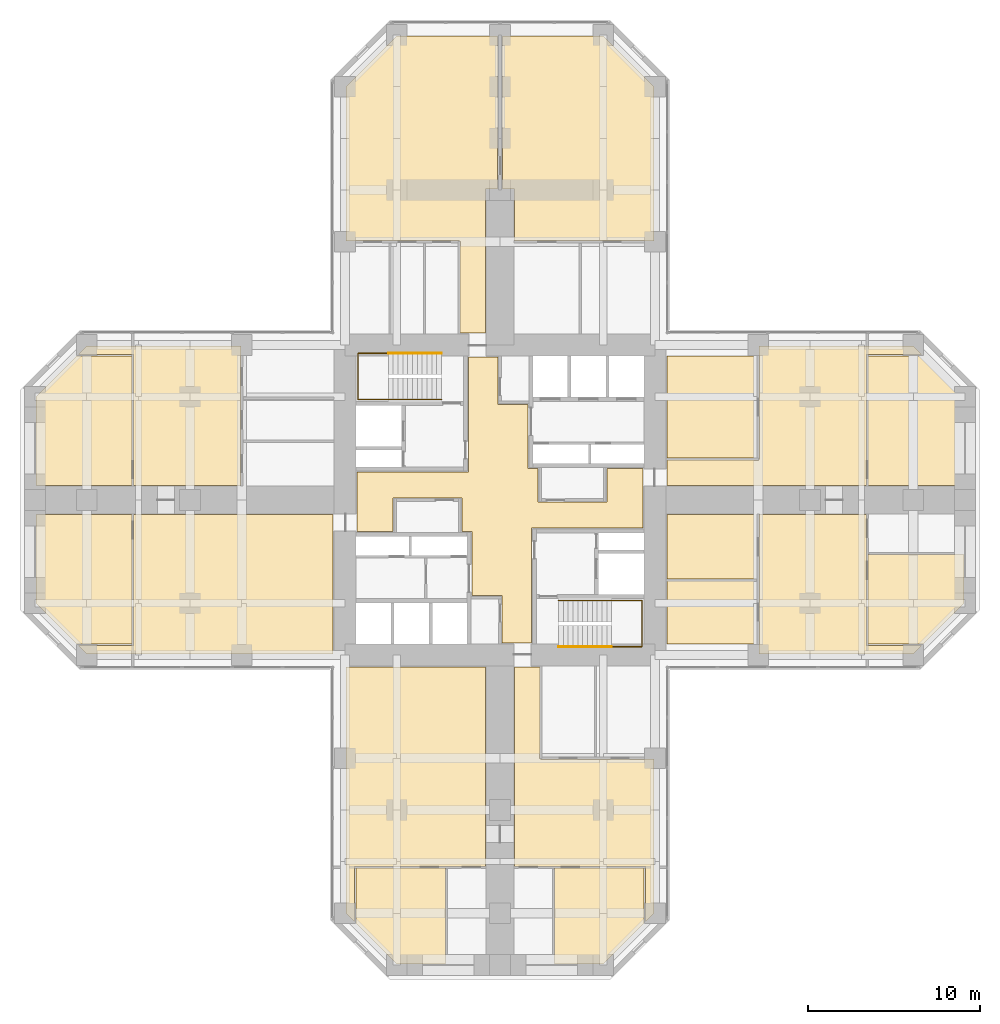
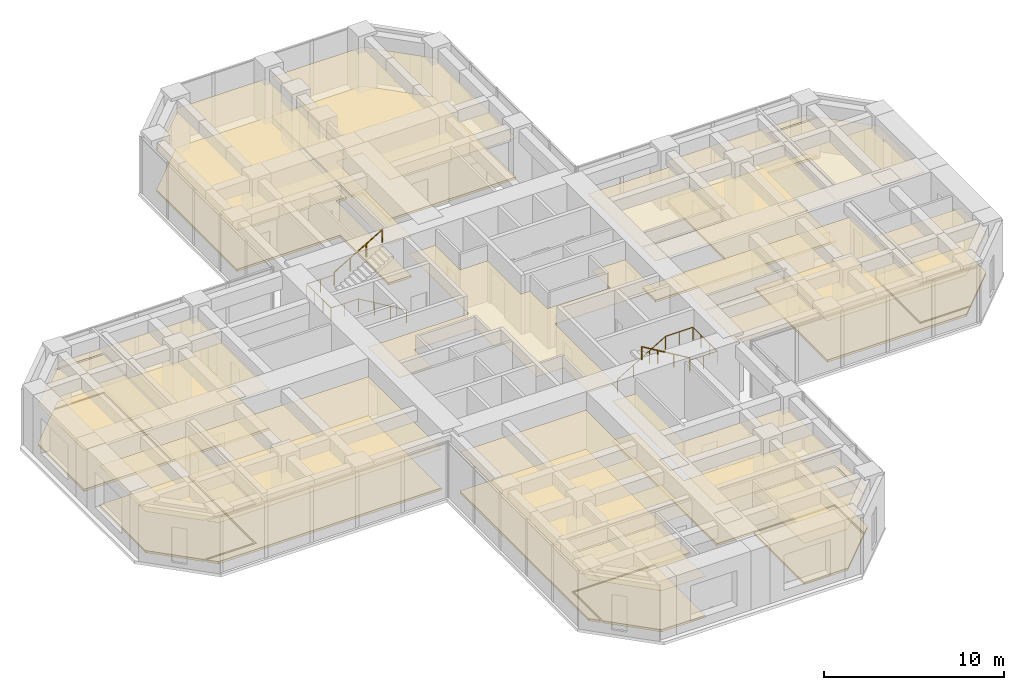
# One storey, part 13 of 13: 31 coverings, 4 railings.
"""IFC4 building model written with IfcOpenShell, lengths in metres."""

import ifcopenshell
import ifcopenshell.guid

model = None  # the IFC model being written
_history = None  # IfcOwnerHistory: only IFC2X3 demands one
_inside = {}  # id of a spatial element -> (the spatial element, [elements in it])
_under = {}  # id of a project, library or spatial element -> (it, [spatial elements below it])
_declared = {}  # id of a project -> (the project, [libraries it declares])
_typed = {}  # id of a type object -> (the type object, [elements of that type])
_made_of = {}  # id of a material, layer set ... -> (it, [elements and type objects made of it])


def new_model(schema):
    """Start an empty IFC model of exactly this schema.

    Asked for "IFC4X3", IfcOpenShell would pick the latest addendum, in which some entities
    have other attributes; the version numbers below select the first issue.
    IFC2X3 requires an IfcOwnerHistory on every rooted entity: one is made here for all.
    """
    global model, _history
    if schema == "IFC4X3":
        model = ifcopenshell.file(schema_version=(4, 3, 0, 0))
    else:
        model = ifcopenshell.file(schema=schema)
    _inside.clear()
    _under.clear()
    _declared.clear()
    _typed.clear()
    _made_of.clear()
    _history = None
    if model.schema == "IFC2X3":
        org = make("IfcOrganization", Name="unknown")
        user = make(
            "IfcPersonAndOrganization",
            ThePerson=make("IfcPerson", FamilyName="unknown"),
            TheOrganization=org,
        )
        app = make(
            "IfcApplication",
            ApplicationDeveloper=org,
            Version="unknown",
            ApplicationFullName="unknown",
            ApplicationIdentifier="unknown",
        )
        _history = make(
            "IfcOwnerHistory",
            OwningUser=user,
            OwningApplication=app,
            ChangeAction="ADDED",
            CreationDate=0,
        )
    return model


def make(cls, **values):
    """One entity of the class cls with the attributes given. An attribute that is None is left unset."""
    return model.create_entity(
        cls, **{name: value for name, value in values.items() if value is not None}
    )


def rooted(cls, **values):
    """An entity with a GlobalId (a new one), such as an element, a storey or a relation."""
    return make(cls, GlobalId=ifcopenshell.guid.new(), OwnerHistory=_history, **values)


def si_unit(unit_type, name, prefix=None):
    """IfcSIUnit, for example si_unit("LENGTHUNIT", "METRE", prefix="MILLI")."""
    return make("IfcSIUnit", UnitType=unit_type, Prefix=prefix, Name=name)


def assignment(units):
    """IfcUnitAssignment: the units of a project."""
    return None if units is None else make("IfcUnitAssignment", Units=units)


def point(xyz):
    """IfcCartesianPoint."""
    return None if xyz is None else make("IfcCartesianPoint", Coordinates=xyz)


def direction(xyz):
    """IfcDirection."""
    return None if xyz is None else make("IfcDirection", DirectionRatios=xyz)


def frame(location, z_axis=None, x_axis=None):
    """IfcAxis2Placement3D, a coordinate frame: its origin and axes. An axis left out is left unset."""
    return make(
        "IfcAxis2Placement3D",
        Location=point(location),
        Axis=direction(z_axis),
        RefDirection=direction(x_axis),
    )


def frame_2d(location, x_axis=None):
    """IfcAxis2Placement2D, a coordinate frame in the plane: its origin and x axis."""
    return make(
        "IfcAxis2Placement2D", Location=point(location), RefDirection=direction(x_axis)
    )


def origin():
    """The frame at (0, 0, 0) with its axes left unset."""
    return frame((0.0, 0.0, 0.0))


def origin_2d():
    """The frame at (0, 0) in the plane with its x axis left unset."""
    return frame_2d((0.0, 0.0))


def place(relative_to, where):
    """IfcLocalPlacement: puts the frame where relative to a parent placement (None: the world)."""
    return make(
        "IfcLocalPlacement", PlacementRelTo=relative_to, RelativePlacement=where
    )


def context(
    kind, dimensions, precision=None, world=None, true_north=None, identifier=None
):
    """IfcGeometricRepresentationContext, for example the 3D "Model" context."""
    return make(
        "IfcGeometricRepresentationContext",
        ContextIdentifier=identifier,
        ContextType=kind,
        CoordinateSpaceDimension=dimensions,
        Precision=precision,
        WorldCoordinateSystem=world,
        TrueNorth=true_north,
    )


def subcontext(parent, identifier, kind, view, scale=None):
    """IfcGeometricRepresentationSubContext, for example "Body" below "Model"."""
    return make(
        "IfcGeometricRepresentationSubContext",
        ContextIdentifier=identifier,
        ContextType=kind,
        ParentContext=parent,
        TargetScale=scale,
        TargetView=view,
    )


def project(units=None, contexts=None):
    """IfcProject with its units and contexts."""
    return rooted(
        "IfcProject",
        Name="project",
        RepresentationContexts=contexts,
        UnitsInContext=assignment(units),
    )


def spatial(cls, under=None, at=None, **own):
    """A site, building, storey or space (cls), placed at a placement, below another one or the project."""
    s = rooted(cls, ObjectPlacement=at, **own)
    if under is not None:
        _under.setdefault(under.id(), (under, []))[1].append(s)
    return s


def polyline(points):
    """IfcPolyline through the points."""
    return make("IfcPolyline", Points=[point(p) for p in points])


def profile(cls, at=None, kind="AREA", **sizes):
    """A parametric profile (cls). Its sizes go by their IFC names, for example OverallWidth=200.0."""
    return make(cls, ProfileType=kind, Position=at, **sizes)


def circle(**sizes):
    """IfcCircleProfileDef."""
    return profile("IfcCircleProfileDef", **sizes)


def outline(outer, holes=None, kind="AREA"):
    """IfcArbitraryClosedProfileDef: a profile drawn as a closed curve; with holes, ...WithVoids."""
    if holes is None:
        return make("IfcArbitraryClosedProfileDef", ProfileType=kind, OuterCurve=outer)
    return make(
        "IfcArbitraryProfileDefWithVoids",
        ProfileType=kind,
        OuterCurve=outer,
        InnerCurves=holes,
    )


def extrude(swept, where, along, depth):
    """IfcExtrudedAreaSolid: the profile swept, set in the frame where, extruded along a direction by depth."""
    return make(
        "IfcExtrudedAreaSolid",
        SweptArea=swept,
        Position=where,
        ExtrudedDirection=direction(along),
        Depth=depth,
    )


def shape(context_of_items, identifier, shape_type, items):
    """IfcShapeRepresentation: the items that make up one representation, for example the "Body"."""
    return make(
        "IfcShapeRepresentation",
        ContextOfItems=context_of_items,
        RepresentationIdentifier=identifier,
        RepresentationType=shape_type,
        Items=items,
    )


def material(Name=None, Category=None):
    """IfcMaterial."""
    return make("IfcMaterial", Name=Name, Category=Category)


def layer(
    of_material, thickness, ventilated=None, Name=None, Category=None, Priority=None
):
    """IfcMaterialLayer: one layer of a wall or slab, of a material (None: an air gap)."""
    return make(
        "IfcMaterialLayer",
        Material=of_material,
        LayerThickness=thickness,
        IsVentilated=ventilated,
        Name=Name,
        Category=Category,
        Priority=Priority,
    )


def layer_set(layers, Name=None):
    """IfcMaterialLayerSet."""
    return make("IfcMaterialLayerSet", MaterialLayers=layers, LayerSetName=Name)


def constituent(of_material, Name=None, Category=None, fraction=None):
    """IfcMaterialConstituent: one of the materials an element consists of."""
    return make(
        "IfcMaterialConstituent",
        Name=Name,
        Material=of_material,
        Fraction=fraction,
        Category=Category,
    )


def constituent_set(constituents=None, Name=None):
    """IfcMaterialConstituentSet."""
    return make(
        "IfcMaterialConstituentSet", Name=Name, MaterialConstituents=constituents
    )


def made_of(thing, what):
    """Note that an element or type object is made of a material, layer set ...; save() writes the relation."""
    if what is not None:
        _made_of.setdefault(what.id(), (what, []))[1].append(thing)
    return thing


def type_object(cls, material=None, **own):
    """A type object (cls), such as IfcWallType, which elements share."""
    return made_of(rooted(cls, **own), material)


def element(
    cls,
    number,
    at=None,
    inside=None,
    cuts=None,
    type_object=None,
    material=None,
    context=None,
    identifier="Body",
    shape_type=None,
    held_by="IfcProductDefinitionShape",
    body=None,
    shapes=None,
    **own,
):
    """One element of the class cls, such as IfcWall. Its Tag is "e" and its number.

    at: its placement. inside: the storey or other place that contains it. cuts: it is an
    opening in that element (IfcRelVoidsElement). A single representation is given by context,
    identifier, shape_type and body (its items); several are given by shapes. held_by: the class
    of the entity that holds the representations. save() writes the other relations.
    """
    e = rooted(cls, Tag="e%d" % number, ObjectPlacement=at, **own)
    if body is not None:
        shapes = [shape(context, identifier, shape_type, body)]
    if shapes is not None:
        e.Representation = make(held_by, Representations=shapes)
    if inside is not None:
        _inside.setdefault(inside.id(), (inside, []))[1].append(e)
    if cuts is not None:
        rooted(
            "IfcRelVoidsElement", RelatingBuildingElement=cuts, RelatedOpeningElement=e
        )
    if type_object is not None:
        _typed.setdefault(type_object.id(), (type_object, []))[1].append(e)
    return made_of(e, material)


def aggregate(whole, parts):
    """IfcRelAggregates: a whole, such as a stair, and the parts it consists of."""
    return rooted("IfcRelAggregates", RelatingObject=whole, RelatedObjects=parts)


def save(model, path):
    """Write the relations noted so far, then the file.

    IfcRelAggregates (storeys below a building ...), IfcRelContainedInSpatialStructure (elements
    in a storey), IfcRelDefinesByType, IfcRelAssociatesMaterial and IfcRelDeclares: one each for
    every whole, place, type object, material and project.
    """
    for whole, parts in _under.values():
        aggregate(whole, parts)
    for where, things in _inside.values():
        rooted(
            "IfcRelContainedInSpatialStructure",
            RelatedElements=things,
            RelatingStructure=where,
        )
    for kind, things in _typed.values():
        rooted("IfcRelDefinesByType", RelatedObjects=things, RelatingType=kind)
    for what, things in _made_of.values():
        rooted("IfcRelAssociatesMaterial", RelatedObjects=things, RelatingMaterial=what)
    for by, libraries in _declared.values():
        rooted("IfcRelDeclares", RelatingContext=by, RelatedDefinitions=libraries)
    model.write(path)


model = new_model("IFC4")

# Units and contexts
model_context = context("Model", 3, precision=1e-05, world=origin(), true_north=direction((0.0, 1.0)))
body_context = subcontext(model_context, "Body", "Model", "MODEL_VIEW")
ifc_project = project(units=[si_unit("LENGTHUNIT", "METRE"), si_unit("AREAUNIT", "SQUARE_METRE"), si_unit("VOLUMEUNIT", "CUBIC_METRE"), si_unit("PLANEANGLEUNIT", "RADIAN"), si_unit("MASSUNIT", "GRAM", prefix="KILO")], contexts=[model_context])

# Site, building, storey
site_placement = place(None, origin())
site = spatial("IfcSite", under=ifc_project, at=site_placement, CompositionType="ELEMENT")
building_placement = place(site_placement, origin())
building = spatial("IfcBuilding", under=site, at=building_placement, Name="Torre Cruceta", CompositionType="ELEMENT")
storey_placement = place(building_placement, frame((0.0, 0.0, 27.5)))
storey = spatial("IfcBuildingStorey", under=building, at=storey_placement, Name="L06", CompositionType="ELEMENT", Elevation=27.5)

# Railings
ifc_material_1 = material(Name="Stainless steel 1.4401", Category="steel")
railing_type = type_object("IfcRailingType", Name="HANDRAIL 900", PredefinedType="HANDRAIL", material=ifc_material_1)
railing_1_placement = place(storey_placement, frame((-3.39990234375, 5.8349609375, 0.166748046875)))
element("IfcRailing", 1, at=railing_1_placement, inside=storey, type_object=railing_type, Name="Handrail HR1 ST1 L06", PredefinedType="HANDRAIL", context=body_context, shape_type="SweptSolid", body=[
    extrude(circle(Radius=0.02392578125, at=origin_2d()), frame((0.0, 0.0, 0.8759765625), z_axis=(-0.859308565015, 0.0, 0.511457515432), x_axis=(0.0, -1.0, 0.0)), (0.0, 0.0, 1.0), 3.58447265625),
    extrude(circle(Radius=0.02392578125, at=origin_2d()), frame((-3.080078125, 0.0, 2.708984375), z_axis=(-1.0, 0.0, 0.0), x_axis=(0.0, -1.0, 0.0)), (0.0, 0.0, 1.0), 1.760009765625),
    extrude(circle(Radius=0.02392578125, at=origin_2d()), frame((-4.840087890625, 0.0, 2.708984375), z_axis=(0.0, 1.0, 0.0), x_axis=(-1.0, 0.0, 0.0)), (0.0, 0.0, 1.0), 2.679931640625),
    extrude(circle(Radius=0.02392578125, at=origin_2d()), frame((-4.840087890625, 2.679931640625, 2.708984375), z_axis=(1.0, 0.0, 0.0), x_axis=(0.0, 1.0, 0.0)), (0.0, 0.0, 1.0), 1.760009765625),
    extrude(circle(Radius=0.02099609375, at=origin_2d()), origin(), (0.0, 0.0, 1.0), 0.851806640625),
    extrude(circle(Radius=0.02099609375, at=origin_2d()), frame((-1.026611328125, 0.0, 0.611083984375)), (0.0, 0.0, 1.0), 0.851806640625),
    extrude(circle(Radius=0.02099609375, at=origin_2d()), frame((-2.053466796875, 0.0, 1.22216796875)), (0.0, 0.0, 1.0), 0.851806640625),
    extrude(circle(Radius=0.02099609375, at=origin_2d()), frame((-3.080078125, 0.0, 1.833251953125)), (0.0, 0.0, 1.0), 0.851806640625),
    extrude(circle(Radius=0.02099609375, at=origin_2d()), frame((-3.9599609375, 0.0, 1.833251953125)), (0.0, 0.0, 1.0), 0.851806640625),
    extrude(circle(Radius=0.02099609375, at=origin_2d()), frame((-4.840087890625, 0.0, 1.833251953125)), (0.0, 0.0, 1.0), 0.851806640625),
    extrude(circle(Radius=0.02099609375, at=origin_2d()), frame((-4.840087890625, 0.893310546875, 1.833251953125)), (0.0, 0.0, 1.0), 0.851806640625),
    extrude(circle(Radius=0.02099609375, at=origin_2d()), frame((-4.840087890625, 1.78662109375, 1.833251953125)), (0.0, 0.0, 1.0), 0.851806640625),
    extrude(circle(Radius=0.02099609375, at=origin_2d()), frame((-4.840087890625, 2.679931640625, 1.833251953125)), (0.0, 0.0, 1.0), 0.851806640625),
    extrude(circle(Radius=0.02099609375, at=origin_2d()), frame((-3.9599609375, 2.679931640625, 1.833251953125)), (0.0, 0.0, 1.0), 0.851806640625),
    extrude(circle(Radius=0.02099609375, at=origin_2d()), frame((-3.080078125, 2.679931640625, 1.833251953125)), (0.0, 0.0, 1.0), 0.851806640625),
])
railing_2_placement = place(storey_placement, frame((-6.47998046875, 8.514892578125, 2.166748046875)))
element("IfcRailing", 2, at=railing_2_placement, inside=storey, type_object=railing_type, Name="Handrail HR1 ST1 L06", PredefinedType="HANDRAIL", context=body_context, shape_type="SweptSolid", body=[
    extrude(circle(Radius=0.02392578125, at=origin_2d()), frame((0.0, 0.0, 0.8759765625), z_axis=(0.859308565015, 0.0, 0.511457515432), x_axis=(0.0, 1.0, 0.0)), (0.0, 0.0, 1.0), 3.58447265625),
    extrude(circle(Radius=0.02099609375, at=origin_2d()), origin(), (0.0, 0.0, 1.0), 0.851806640625),
    extrude(circle(Radius=0.02099609375, at=origin_2d()), frame((1.026611328125, 0.0, 0.611083984375)), (0.0, 0.0, 1.0), 0.851806640625),
    extrude(circle(Radius=0.02099609375, at=origin_2d()), frame((2.053466796875, 0.0, 1.22216796875)), (0.0, 0.0, 1.0), 0.851806640625),
    extrude(circle(Radius=0.02099609375, at=origin_2d()), frame((3.080078125, 0.0, 1.833251953125)), (0.0, 0.0, 1.0), 0.851806640625),
])
railing_3_placement = place(storey_placement, frame((3.39990234375, -5.8349609375, 0.166748046875)))
element("IfcRailing", 3, at=railing_3_placement, inside=storey, type_object=railing_type, Name="Handrail HR1 ST2 L06", PredefinedType="HANDRAIL", context=body_context, shape_type="SweptSolid", body=[
    extrude(circle(Radius=0.02392578125, at=origin_2d()), frame((0.0, 0.0, 0.8759765625), z_axis=(0.859308565015, 0.0, 0.511457515432), x_axis=(0.0, 1.0, 0.0)), (0.0, 0.0, 1.0), 3.58447265625),
    extrude(circle(Radius=0.02392578125, at=origin_2d()), frame((3.080078125, 0.0, 2.708984375), z_axis=(1.0, 0.0, 0.0), x_axis=(0.0, 1.0, 0.0)), (0.0, 0.0, 1.0), 1.760009765625),
    extrude(circle(Radius=0.02392578125, at=origin_2d()), frame((4.840087890625, 0.0, 2.708984375), z_axis=(0.0, -1.0, 0.0), x_axis=(1.0, 0.0, 0.0)), (0.0, 0.0, 1.0), 2.679931640625),
    extrude(circle(Radius=0.02392578125, at=origin_2d()), frame((4.840087890625, -2.679931640625, 2.708984375), z_axis=(-1.0, 0.0, 0.0), x_axis=(0.0, -1.0, 0.0)), (0.0, 0.0, 1.0), 1.760009765625),
    extrude(circle(Radius=0.02099609375, at=origin_2d()), origin(), (0.0, 0.0, 1.0), 0.851806640625),
    extrude(circle(Radius=0.02099609375, at=origin_2d()), frame((1.026611328125, 0.0, 0.611083984375)), (0.0, 0.0, 1.0), 0.851806640625),
    extrude(circle(Radius=0.02099609375, at=origin_2d()), frame((2.053466796875, 0.0, 1.22216796875)), (0.0, 0.0, 1.0), 0.851806640625),
    extrude(circle(Radius=0.02099609375, at=origin_2d()), frame((3.080078125, 0.0, 1.833251953125)), (0.0, 0.0, 1.0), 0.851806640625),
    extrude(circle(Radius=0.02099609375, at=origin_2d()), frame((3.9599609375, 0.0, 1.833251953125)), (0.0, 0.0, 1.0), 0.851806640625),
    extrude(circle(Radius=0.02099609375, at=origin_2d()), frame((4.840087890625, 0.0, 1.833251953125)), (0.0, 0.0, 1.0), 0.851806640625),
    extrude(circle(Radius=0.02099609375, at=origin_2d()), frame((4.840087890625, -0.893310546875, 1.833251953125)), (0.0, 0.0, 1.0), 0.851806640625),
    extrude(circle(Radius=0.02099609375, at=origin_2d()), frame((4.840087890625, -1.78662109375, 1.833251953125)), (0.0, 0.0, 1.0), 0.851806640625),
    extrude(circle(Radius=0.02099609375, at=origin_2d()), frame((4.840087890625, -2.679931640625, 1.833251953125)), (0.0, 0.0, 1.0), 0.851806640625),
    extrude(circle(Radius=0.02099609375, at=origin_2d()), frame((3.9599609375, -2.679931640625, 1.833251953125)), (0.0, 0.0, 1.0), 0.851806640625),
    extrude(circle(Radius=0.02099609375, at=origin_2d()), frame((3.080078125, -2.679931640625, 1.833251953125)), (0.0, 0.0, 1.0), 0.851806640625),
])
railing_4_placement = place(storey_placement, frame((6.47998046875, -8.514892578125, 2.166748046875)))
element("IfcRailing", 4, at=railing_4_placement, inside=storey, type_object=railing_type, Name="Handrail HR1 ST2 L06", PredefinedType="HANDRAIL", context=body_context, shape_type="SweptSolid", body=[
    extrude(circle(Radius=0.02392578125, at=origin_2d()), frame((0.0, 0.0, 0.8759765625), z_axis=(-0.859308565015, 0.0, 0.511457515432), x_axis=(0.0, -1.0, 0.0)), (0.0, 0.0, 1.0), 3.58447265625),
    extrude(circle(Radius=0.02099609375, at=origin_2d()), origin(), (0.0, 0.0, 1.0), 0.851806640625),
    extrude(circle(Radius=0.02099609375, at=origin_2d()), frame((-1.026611328125, 0.0, 0.611083984375)), (0.0, 0.0, 1.0), 0.851806640625),
    extrude(circle(Radius=0.02099609375, at=origin_2d()), frame((-2.053466796875, 0.0, 1.22216796875)), (0.0, 0.0, 1.0), 0.851806640625),
    extrude(circle(Radius=0.02099609375, at=origin_2d()), frame((-3.080078125, 0.0, 1.833251953125)), (0.0, 0.0, 1.0), 0.851806640625),
])

# Coverings
ifc_material_2 = material(Name="Steel DX51D", Category="steel")
ifc_constituent_1 = constituent(ifc_material_2, Name="Panel casing")
ifc_material_3 = material(Name="Calcium sulphate", Category="gypsum")
ifc_constituent_2 = constituent(ifc_material_3, Name="Panel core")
ifc_constituent_set = constituent_set(constituents=[ifc_constituent_1, ifc_constituent_2], Name="Raised access floor panel")
covering_type_1 = type_object("IfcCoveringType", Name="RAISED ACCESS FLOOR 150", PredefinedType="FLOORING", material=ifc_constituent_set)
covering_1_placement = place(storey_placement, origin())
element("IfcCovering", 5, at=covering_1_placement, inside=storey, type_object=covering_type_1, Name="Raised floor L06-032", PredefinedType="FLOORING", context=body_context, shape_type="SweptSolid", body=[
    extrude(outline(polyline([(-0.14990234375, 26.949951171875), (-0.14990234375, 18.050048828125), (-0.85009765625, 18.050048828125), (-0.85009765625, 9.699951171875), (-2.324951171875, 9.699951171875), (-2.324951171875, 15.050048828125), (-8.949951171875, 15.050048828125), (-8.949951171875, 23.979248046875), (-5.979248046875, 26.949951171875), (-0.14990234375, 26.949951171875)])), origin(), (0.0, 0.0, 1.0), 0.14990234375),
])
covering_2_placement = place(storey_placement, origin())
element("IfcCovering", 6, at=covering_2_placement, inside=storey, type_object=covering_type_1, Name="Raised floor L06-033", PredefinedType="FLOORING", context=body_context, shape_type="SweptSolid", body=[
    extrude(outline(polyline([(5.979248046875, 26.949951171875), (8.949951171875, 23.979248046875), (8.949951171875, 15.050048828125), (0.85009765625, 15.050048828125), (0.85009765625, 18.050048828125), (0.14990234375, 18.050048828125), (0.14990234375, 26.949951171875), (5.979248046875, 26.949951171875)])), origin(), (0.0, 0.0, 1.0), 0.14990234375),
])
covering_3_placement = place(storey_placement, origin())
element("IfcCovering", 7, at=covering_3_placement, inside=storey, type_object=covering_type_1, Name="Raised floor L06-039", PredefinedType="FLOORING", context=body_context, shape_type="SweptSolid", body=[
    extrude(outline(polyline([(24.579345703125, -8.35009765625), (21.3701171875, -8.35009765625), (21.3701171875, -3.16796875), (26.949951171875, -3.16796875), (26.949951171875, -5.979248046875), (24.579345703125, -8.35009765625)])), origin(), (0.0, 0.0, 1.0), 0.14990234375),
])
covering_4_placement = place(storey_placement, origin())
element("IfcCovering", 8, at=covering_4_placement, inside=storey, type_object=covering_type_1, Name="Raised floor L06-040", PredefinedType="FLOORING", context=body_context, shape_type="SweptSolid", body=[
    extrude(outline(polyline([(9.699951171875, 2.324951171875), (15.050048828125, 2.324951171875), (15.050048828125, 8.949951171875), (23.979248046875, 8.949951171875), (24.479248046875, 8.449951171875), (21.27001953125, 8.449951171875), (21.27001953125, 0.85009765625), (9.699951171875, 0.85009765625), (9.699951171875, 2.324951171875)])), origin(), (0.0, 0.0, 1.0), 0.14990234375),
])
covering_5_placement = place(storey_placement, origin())
element("IfcCovering", 9, at=covering_5_placement, inside=storey, type_object=covering_type_1, Name="Raised floor L06-041", PredefinedType="FLOORING", context=body_context, shape_type="SweptSolid", body=[
    extrude(outline(polyline([(15.050048828125, -8.949951171875), (15.050048828125, -0.85009765625), (21.27001953125, -0.85009765625), (21.27001953125, -8.449951171875), (24.479248046875, -8.449951171875), (23.979248046875, -8.949951171875), (15.050048828125, -8.949951171875)])), origin(), (0.0, 0.0, 1.0), 0.14990234375),
])
covering_6_placement = place(storey_placement, origin())
element("IfcCovering", 10, at=covering_6_placement, inside=storey, type_object=covering_type_1, Name="Raised floor L06-045", PredefinedType="FLOORING", context=body_context, shape_type="SweptSolid", body=[
    extrude(outline(polyline([(3.16796875, -26.949951171875), (3.16796875, -21.3701171875), (8.35009765625, -21.3701171875), (8.35009765625, -24.579345703125), (5.979248046875, -26.949951171875), (3.16796875, -26.949951171875)])), origin(), (0.0, 0.0, 1.0), 0.14990234375),
])
covering_7_placement = place(storey_placement, origin())
element("IfcCovering", 11, at=covering_7_placement, inside=storey, type_object=covering_type_1, Name="Raised floor L06-047", PredefinedType="FLOORING", context=body_context, shape_type="SweptSolid", body=[
    extrude(outline(polyline([(-8.35009765625, -24.579345703125), (-8.35009765625, -21.3701171875), (-3.16796875, -21.3701171875), (-3.16796875, -26.949951171875), (-5.979248046875, -26.949951171875), (-8.35009765625, -24.579345703125)])), origin(), (0.0, 0.0, 1.0), 0.14990234375),
])
covering_8_placement = place(storey_placement, origin())
element("IfcCovering", 12, at=covering_8_placement, inside=storey, type_object=covering_type_1, Name="Raised floor L06-048", PredefinedType="FLOORING", context=body_context, shape_type="SweptSolid", body=[
    extrude(outline(polyline([(0.85009765625, -21.27001953125), (0.85009765625, -9.699951171875), (2.324951171875, -9.699951171875), (2.324951171875, -15.050048828125), (8.949951171875, -15.050048828125), (8.949951171875, -23.979248046875), (8.449951171875, -24.479248046875), (8.449951171875, -21.27001953125), (0.85009765625, -21.27001953125)])), origin(), (0.0, 0.0, 1.0), 0.14990234375),
])
covering_9_placement = place(storey_placement, origin())
element("IfcCovering", 13, at=covering_9_placement, inside=storey, type_object=covering_type_1, Name="Raised floor L06-049", PredefinedType="FLOORING", context=body_context, shape_type="SweptSolid", body=[
    extrude(outline(polyline([(-8.449951171875, -21.27001953125), (-8.449951171875, -24.479248046875), (-8.949951171875, -23.979248046875), (-8.949951171875, -9.699951171875), (-0.85009765625, -9.699951171875), (-0.85009765625, -21.27001953125), (-8.449951171875, -21.27001953125)])), origin(), (0.0, 0.0, 1.0), 0.14990234375),
])
covering_10_placement = place(storey_placement, origin())
element("IfcCovering", 14, at=covering_10_placement, inside=storey, type_object=covering_type_1, Name="Raised floor L06-053", PredefinedType="FLOORING", context=body_context, shape_type="SweptSolid", body=[
    extrude(outline(polyline([(-26.949951171875, -0.85009765625), (-21.3701171875, -0.85009765625), (-21.3701171875, -8.35009765625), (-24.579345703125, -8.35009765625), (-26.949951171875, -5.979248046875), (-26.949951171875, -0.85009765625)])), origin(), (0.0, 0.0, 1.0), 0.14990234375),
])
covering_11_placement = place(storey_placement, origin())
element("IfcCovering", 15, at=covering_11_placement, inside=storey, type_object=covering_type_1, Name="Raised floor L06-054", PredefinedType="FLOORING", context=body_context, shape_type="SweptSolid", body=[
    extrude(outline(polyline([(-24.579345703125, 8.35009765625), (-21.3701171875, 8.35009765625), (-21.3701171875, 0.85009765625), (-26.949951171875, 0.85009765625), (-26.949951171875, 5.979248046875), (-24.579345703125, 8.35009765625)])), origin(), (0.0, 0.0, 1.0), 0.14990234375),
])
covering_12_placement = place(storey_placement, origin())
element("IfcCovering", 16, at=covering_12_placement, inside=storey, type_object=covering_type_1, Name="Raised floor L06-055", PredefinedType="FLOORING", context=body_context, shape_type="SweptSolid", body=[
    extrude(outline(polyline([(-21.27001953125, -8.449951171875), (-21.27001953125, -0.85009765625), (-9.699951171875, -0.85009765625), (-9.699951171875, -8.949951171875), (-23.979248046875, -8.949951171875), (-24.479248046875, -8.449951171875), (-21.27001953125, -8.449951171875)])), origin(), (0.0, 0.0, 1.0), 0.14990234375),
])
covering_13_placement = place(storey_placement, origin())
element("IfcCovering", 17, at=covering_13_placement, inside=storey, type_object=covering_type_1, Name="Raised floor L06-056", PredefinedType="FLOORING", context=body_context, shape_type="SweptSolid", body=[
    extrude(outline(polyline([(-21.27001953125, 8.449951171875), (-24.479248046875, 8.449951171875), (-23.979248046875, 8.949951171875), (-15.050048828125, 8.949951171875), (-15.050048828125, 0.85009765625), (-21.27001953125, 0.85009765625), (-21.27001953125, 8.449951171875)])), origin(), (0.0, 0.0, 1.0), 0.14990234375),
])
ifc_material_4 = material(Name="Mineral fibre ceiling tile", Category="gypsum")
ifc_layer = layer(ifc_material_4, 0.02001953125)
ifc_layer_set = layer_set([ifc_layer], Name="Mineral fibre ceiling tile")
covering_type_2 = type_object("IfcCoveringType", Name="SUSPENDED CEILING 20", PredefinedType="CEILING", material=ifc_layer_set)
covering_14_placement = place(storey_placement, frame((0.0, 0.0, 2.780029296875)))
element("IfcCovering", 18, at=covering_14_placement, inside=storey, type_object=covering_type_2, Name="Ceiling L06-001", PredefinedType="CEILING", context=body_context, shape_type="SweptSolid", body=[
    extrude(outline(polyline([(1.824951171875, -8.300048828125), (0.125, -8.300048828125), (0.125, -5.550048828125), (-1.625, -5.550048828125), (-1.625, -1.824951171875), (-2.199951171875, -1.824951171875), (-2.199951171875, 0.125), (-6.199951171875, 0.125), (-6.199951171875, -1.824951171875), (-8.300048828125, -1.824951171875), (-8.300048828125, 1.625), (-1.824951171875, 1.625), (-1.824951171875, 8.300048828125), (-0.125, 8.300048828125), (-0.125, 5.550048828125), (1.625, 5.550048828125), (1.625, 1.824951171875), (2.199951171875, 1.824951171875), (2.199951171875, -0.125), (6.199951171875, -0.125), (6.199951171875, 1.824951171875), (8.300048828125, 1.824951171875), (8.300048828125, -1.625), (1.824951171875, -1.625), (1.824951171875, -8.300048828125)])), origin(), (0.0, 0.0, 1.0), 0.02001953125),
])
covering_15_placement = place(storey_placement, frame((0.0, 0.0, 2.780029296875)))
element("IfcCovering", 19, at=covering_15_placement, inside=storey, type_object=covering_type_2, Name="Ceiling L06-032", PredefinedType="CEILING", context=body_context, shape_type="SweptSolid", body=[
    extrude(outline(polyline([(-0.14990234375, 26.949951171875), (-0.14990234375, 18.050048828125), (-0.85009765625, 18.050048828125), (-0.85009765625, 9.699951171875), (-2.324951171875, 9.699951171875), (-2.324951171875, 15.050048828125), (-8.949951171875, 15.050048828125), (-8.949951171875, 23.979248046875), (-5.979248046875, 26.949951171875), (-0.14990234375, 26.949951171875)])), origin(), (0.0, 0.0, 1.0), 0.02001953125),
])
covering_16_placement = place(storey_placement, frame((0.0, 0.0, 2.780029296875)))
element("IfcCovering", 20, at=covering_16_placement, inside=storey, type_object=covering_type_2, Name="Ceiling L06-033", PredefinedType="CEILING", context=body_context, shape_type="SweptSolid", body=[
    extrude(outline(polyline([(5.979248046875, 26.949951171875), (8.949951171875, 23.979248046875), (8.949951171875, 15.050048828125), (0.85009765625, 15.050048828125), (0.85009765625, 18.050048828125), (0.14990234375, 18.050048828125), (0.14990234375, 26.949951171875), (5.979248046875, 26.949951171875)])), origin(), (0.0, 0.0, 1.0), 0.02001953125),
])
covering_17_placement = place(storey_placement, frame((0.0, 0.0, 2.780029296875)))
element("IfcCovering", 21, at=covering_17_placement, inside=storey, type_object=covering_type_2, Name="Ceiling L06-034", PredefinedType="CEILING", context=body_context, shape_type="SweptSolid", body=[
    extrude(outline(polyline([(9.699951171875, 2.425048828125), (9.699951171875, 8.35009765625), (14.949951171875, 8.35009765625), (14.949951171875, 2.425048828125), (9.699951171875, 2.425048828125)])), origin(), (0.0, 0.0, 1.0), 0.02001953125),
])
covering_18_placement = place(storey_placement, frame((0.0, 0.0, 2.780029296875)))
element("IfcCovering", 22, at=covering_18_placement, inside=storey, type_object=covering_type_2, Name="Ceiling L06-035", PredefinedType="CEILING", context=body_context, shape_type="SweptSolid", body=[
    extrude(outline(polyline([(9.699951171875, -4.60009765625), (9.699951171875, -0.85009765625), (14.949951171875, -0.85009765625), (14.949951171875, -4.60009765625), (9.699951171875, -4.60009765625)])), origin(), (0.0, 0.0, 1.0), 0.02001953125),
])
covering_19_placement = place(storey_placement, frame((0.0, 0.0, 2.780029296875)))
element("IfcCovering", 23, at=covering_19_placement, inside=storey, type_object=covering_type_2, Name="Ceiling L06-036", PredefinedType="CEILING", context=body_context, shape_type="SweptSolid", body=[
    extrude(outline(polyline([(9.699951171875, -8.35009765625), (9.699951171875, -4.699951171875), (14.949951171875, -4.699951171875), (14.949951171875, -8.35009765625), (9.699951171875, -8.35009765625)])), origin(), (0.0, 0.0, 1.0), 0.02001953125),
])
covering_20_placement = place(storey_placement, frame((0.0, 0.0, 2.780029296875)))
element("IfcCovering", 24, at=covering_20_placement, inside=storey, type_object=covering_type_2, Name="Ceiling L06-037", PredefinedType="CEILING", context=body_context, shape_type="SweptSolid", body=[
    extrude(outline(polyline([(26.949951171875, 0.85009765625), (21.3701171875, 0.85009765625), (21.3701171875, 8.35009765625), (24.579345703125, 8.35009765625), (26.949951171875, 5.979248046875), (26.949951171875, 0.85009765625)])), origin(), (0.0, 0.0, 1.0), 0.02001953125),
])
covering_21_placement = place(storey_placement, frame((0.0, 0.0, 2.780029296875)))
element("IfcCovering", 25, at=covering_21_placement, inside=storey, type_object=covering_type_2, Name="Ceiling L06-039", PredefinedType="CEILING", context=body_context, shape_type="SweptSolid", body=[
    extrude(outline(polyline([(24.579345703125, -8.35009765625), (21.3701171875, -8.35009765625), (21.3701171875, -3.16796875), (26.949951171875, -3.16796875), (26.949951171875, -5.979248046875), (24.579345703125, -8.35009765625)])), origin(), (0.0, 0.0, 1.0), 0.02001953125),
])
covering_22_placement = place(storey_placement, frame((0.0, 0.0, 2.780029296875)))
element("IfcCovering", 26, at=covering_22_placement, inside=storey, type_object=covering_type_2, Name="Ceiling L06-040", PredefinedType="CEILING", context=body_context, shape_type="SweptSolid", body=[
    extrude(outline(polyline([(9.699951171875, 2.324951171875), (15.050048828125, 2.324951171875), (15.050048828125, 8.949951171875), (23.979248046875, 8.949951171875), (24.479248046875, 8.449951171875), (21.27001953125, 8.449951171875), (21.27001953125, 0.85009765625), (9.699951171875, 0.85009765625), (9.699951171875, 2.324951171875)])), origin(), (0.0, 0.0, 1.0), 0.02001953125),
])
covering_23_placement = place(storey_placement, frame((0.0, 0.0, 2.780029296875)))
element("IfcCovering", 27, at=covering_23_placement, inside=storey, type_object=covering_type_2, Name="Ceiling L06-041", PredefinedType="CEILING", context=body_context, shape_type="SweptSolid", body=[
    extrude(outline(polyline([(15.050048828125, -8.949951171875), (15.050048828125, -0.85009765625), (21.27001953125, -0.85009765625), (21.27001953125, -8.449951171875), (24.479248046875, -8.449951171875), (23.979248046875, -8.949951171875), (15.050048828125, -8.949951171875)])), origin(), (0.0, 0.0, 1.0), 0.02001953125),
])
covering_24_placement = place(storey_placement, frame((0.0, 0.0, 2.780029296875)))
element("IfcCovering", 28, at=covering_24_placement, inside=storey, type_object=covering_type_2, Name="Ceiling L06-045", PredefinedType="CEILING", context=body_context, shape_type="SweptSolid", body=[
    extrude(outline(polyline([(3.16796875, -26.949951171875), (3.16796875, -21.3701171875), (8.35009765625, -21.3701171875), (8.35009765625, -24.579345703125), (5.979248046875, -26.949951171875), (3.16796875, -26.949951171875)])), origin(), (0.0, 0.0, 1.0), 0.02001953125),
])
covering_25_placement = place(storey_placement, frame((0.0, 0.0, 2.780029296875)))
element("IfcCovering", 29, at=covering_25_placement, inside=storey, type_object=covering_type_2, Name="Ceiling L06-047", PredefinedType="CEILING", context=body_context, shape_type="SweptSolid", body=[
    extrude(outline(polyline([(-8.35009765625, -24.579345703125), (-8.35009765625, -21.3701171875), (-3.16796875, -21.3701171875), (-3.16796875, -26.949951171875), (-5.979248046875, -26.949951171875), (-8.35009765625, -24.579345703125)])), origin(), (0.0, 0.0, 1.0), 0.02001953125),
])
covering_26_placement = place(storey_placement, frame((0.0, 0.0, 2.780029296875)))
element("IfcCovering", 30, at=covering_26_placement, inside=storey, type_object=covering_type_2, Name="Ceiling L06-048", PredefinedType="CEILING", context=body_context, shape_type="SweptSolid", body=[
    extrude(outline(polyline([(0.85009765625, -21.27001953125), (0.85009765625, -9.699951171875), (2.324951171875, -9.699951171875), (2.324951171875, -15.050048828125), (8.949951171875, -15.050048828125), (8.949951171875, -23.979248046875), (8.449951171875, -24.479248046875), (8.449951171875, -21.27001953125), (0.85009765625, -21.27001953125)])), origin(), (0.0, 0.0, 1.0), 0.02001953125),
])
covering_27_placement = place(storey_placement, frame((0.0, 0.0, 2.780029296875)))
element("IfcCovering", 31, at=covering_27_placement, inside=storey, type_object=covering_type_2, Name="Ceiling L06-049", PredefinedType="CEILING", context=body_context, shape_type="SweptSolid", body=[
    extrude(outline(polyline([(-8.449951171875, -21.27001953125), (-8.449951171875, -24.479248046875), (-8.949951171875, -23.979248046875), (-8.949951171875, -9.699951171875), (-0.85009765625, -9.699951171875), (-0.85009765625, -21.27001953125), (-8.449951171875, -21.27001953125)])), origin(), (0.0, 0.0, 1.0), 0.02001953125),
])
covering_28_placement = place(storey_placement, frame((0.0, 0.0, 2.780029296875)))
element("IfcCovering", 32, at=covering_28_placement, inside=storey, type_object=covering_type_2, Name="Ceiling L06-053", PredefinedType="CEILING", context=body_context, shape_type="SweptSolid", body=[
    extrude(outline(polyline([(-26.949951171875, -0.85009765625), (-21.3701171875, -0.85009765625), (-21.3701171875, -8.35009765625), (-24.579345703125, -8.35009765625), (-26.949951171875, -5.979248046875), (-26.949951171875, -0.85009765625)])), origin(), (0.0, 0.0, 1.0), 0.02001953125),
])
covering_29_placement = place(storey_placement, frame((0.0, 0.0, 2.780029296875)))
element("IfcCovering", 33, at=covering_29_placement, inside=storey, type_object=covering_type_2, Name="Ceiling L06-054", PredefinedType="CEILING", context=body_context, shape_type="SweptSolid", body=[
    extrude(outline(polyline([(-24.579345703125, 8.35009765625), (-21.3701171875, 8.35009765625), (-21.3701171875, 0.85009765625), (-26.949951171875, 0.85009765625), (-26.949951171875, 5.979248046875), (-24.579345703125, 8.35009765625)])), origin(), (0.0, 0.0, 1.0), 0.02001953125),
])
covering_30_placement = place(storey_placement, frame((0.0, 0.0, 2.780029296875)))
element("IfcCovering", 34, at=covering_30_placement, inside=storey, type_object=covering_type_2, Name="Ceiling L06-055", PredefinedType="CEILING", context=body_context, shape_type="SweptSolid", body=[
    extrude(outline(polyline([(-21.27001953125, -8.449951171875), (-21.27001953125, -0.85009765625), (-9.699951171875, -0.85009765625), (-9.699951171875, -8.949951171875), (-23.979248046875, -8.949951171875), (-24.479248046875, -8.449951171875), (-21.27001953125, -8.449951171875)])), origin(), (0.0, 0.0, 1.0), 0.02001953125),
])
covering_31_placement = place(storey_placement, frame((0.0, 0.0, 2.780029296875)))
element("IfcCovering", 35, at=covering_31_placement, inside=storey, type_object=covering_type_2, Name="Ceiling L06-056", PredefinedType="CEILING", context=body_context, shape_type="SweptSolid", body=[
    extrude(outline(polyline([(-21.27001953125, 8.449951171875), (-24.479248046875, 8.449951171875), (-23.979248046875, 8.949951171875), (-15.050048828125, 8.949951171875), (-15.050048828125, 0.85009765625), (-21.27001953125, 0.85009765625), (-21.27001953125, 8.449951171875)])), origin(), (0.0, 0.0, 1.0), 0.02001953125),
])

save(model, "model.ifc")
